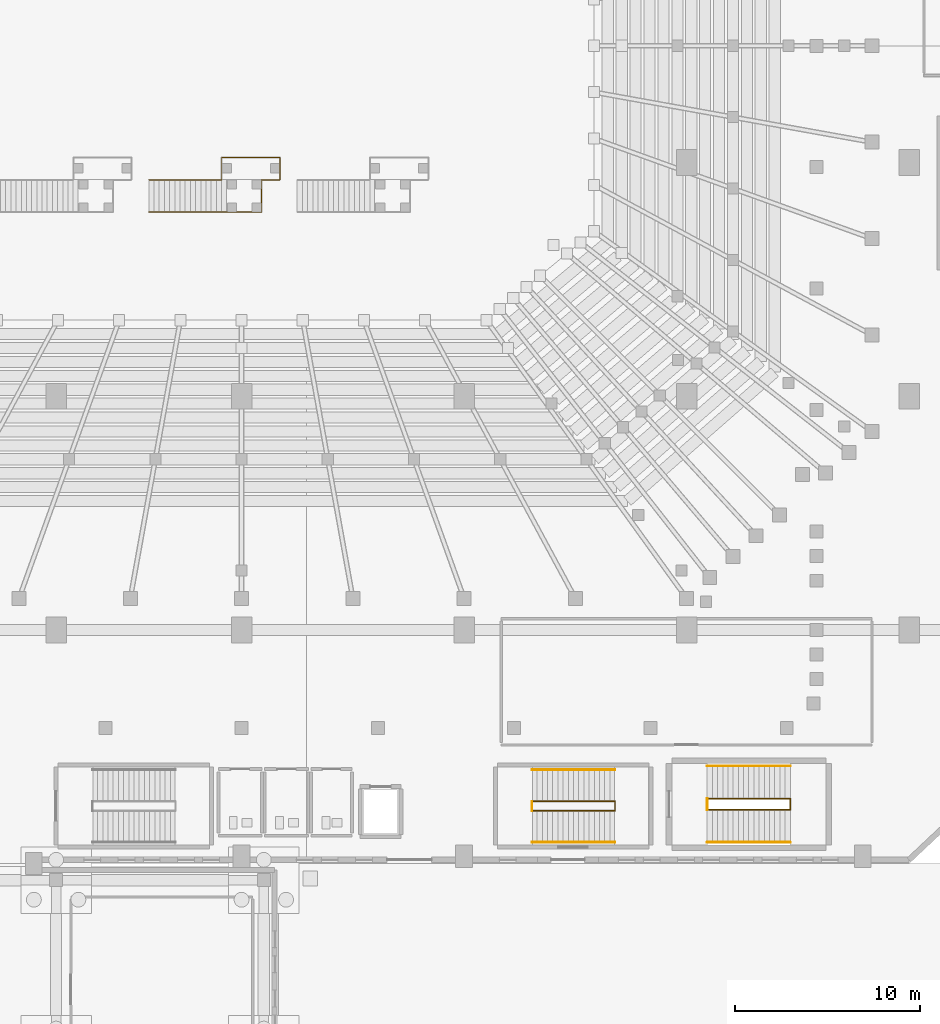
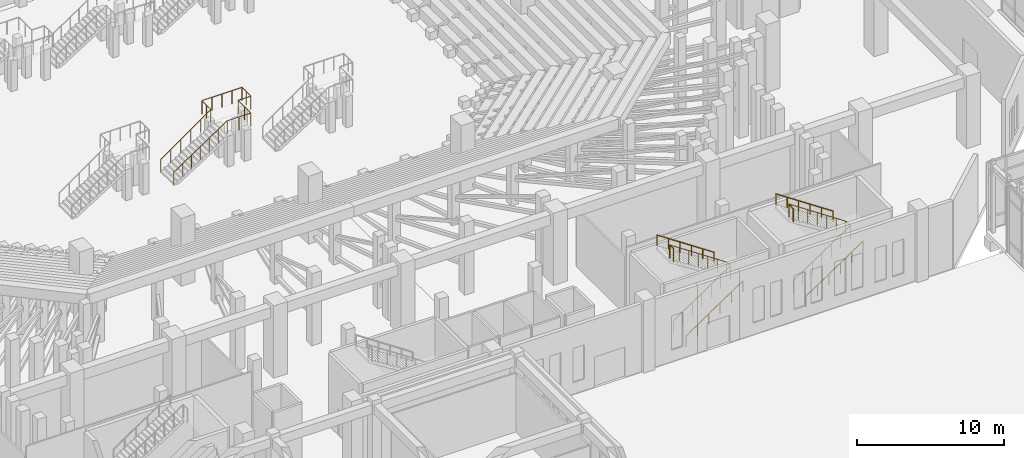
# One storey, part 131 of 143: 9 railings.
"""IFC4 building model written with IfcOpenShell, lengths in metres."""

from ifc_helpers import new_model, si_unit, derived_unit, direction, frame, origin, origin_2d, place, context, subcontext, project, spatial, circle, extrude, material, type_object, element, save


model = new_model("IFC4")

# Units and contexts
model_context = context("Model", 3, precision=1e-05, world=origin(), true_north=direction((0.0, 1.0)))
body_context = subcontext(model_context, "Body", "Model", "MODEL_VIEW")
ifc_project = project(units=[si_unit("LENGTHUNIT", "METRE"), si_unit("AREAUNIT", "SQUARE_METRE"), si_unit("VOLUMEUNIT", "CUBIC_METRE"), si_unit("PLANEANGLEUNIT", "RADIAN"), si_unit("MASSUNIT", "GRAM", prefix="KILO"), derived_unit("THERMALTRANSMITTANCEUNIT", [(si_unit("MASSUNIT", "GRAM", prefix="KILO"), 1), (si_unit("TIMEUNIT", "SECOND"), -3), (si_unit("THERMODYNAMICTEMPERATUREUNIT", "KELVIN"), -1)])], contexts=[model_context])

# Site, building, storey
site_placement = place(None, origin())
site = spatial("IfcSite", under=ifc_project, at=site_placement, CompositionType="ELEMENT")
building_placement = place(site_placement, origin())
building = spatial("IfcBuilding", under=site, at=building_placement, Name="Valcora Ridge Arena", CompositionType="ELEMENT")
storey_placement = place(building_placement, origin())
storey = spatial("IfcBuildingStorey", under=building, at=storey_placement, Name="L00", CompositionType="ELEMENT", Elevation=0.0)

# Railings
ifc_material = material(Name="Galvanized painted steel ASTM A500 Grade B", Category="steel")
railing_type_1 = type_object("IfcRailingType", Name="TY-RAILING-GRD-STAIR-1120", PredefinedType="GUARDRAIL", material=ifc_material)
railing_1_placement = place(storey_placement, frame((83.110107421875, 22.89990234375, 0.0)))
element("IfcRailing", 1, at=railing_1_placement, inside=storey, type_object=railing_type_1, Name="GRD-STAIR-1120 RAL-SG-0015", PredefinedType="GUARDRAIL", context=body_context, shape_type="SweptSolid", body=[
    extrude(circle(Radius=0.02392578125, at=origin_2d()), frame((0.0, 0.0, 1.09619140625), z_axis=(0.830906055479, 0.0, 0.556412730775), x_axis=(0.0, 1.0, 0.0)), (0.0, 0.0, 1.0), 5.3916015625),
    extrude(circle(Radius=0.02392578125, at=origin_2d()), frame((4.47998046875, 0.0, 4.09619140625), z_axis=(0.0, 1.0, 0.0), x_axis=(-1.0, 0.0, 0.0)), (0.0, 0.0, 1.0), 0.60009765625),
    extrude(circle(Radius=0.02392578125, at=origin_2d()), frame((4.47998046875, 0.60009765625, 4.09619140625), z_axis=(-0.830906055479, 0.0, 0.556412730775), x_axis=(0.0, -1.0, 0.0)), (0.0, 0.0, 1.0), 5.3916015625),
    extrude(circle(Radius=0.02099609375, at=origin_2d()), origin(), (0.0, 0.0, 1.0), 1.072021484375),
    extrude(circle(Radius=0.02099609375, at=origin_2d()), frame((0.74658203125, 0.0, 0.5)), (0.0, 0.0, 1.0), 1.072021484375),
    extrude(circle(Radius=0.02099609375, at=origin_2d()), frame((1.493408203125, 0.0, 1.0)), (0.0, 0.0, 1.0), 1.072021484375),
    extrude(circle(Radius=0.02099609375, at=origin_2d()), frame((2.239990234375, 0.0, 1.5)), (0.0, 0.0, 1.0), 1.072021484375),
    extrude(circle(Radius=0.02099609375, at=origin_2d()), frame((2.986572265625, 0.0, 2.0)), (0.0, 0.0, 1.0), 1.072021484375),
    extrude(circle(Radius=0.02099609375, at=origin_2d()), frame((3.7333984375, 0.0, 2.5)), (0.0, 0.0, 1.0), 1.072021484375),
    extrude(circle(Radius=0.02099609375, at=origin_2d()), frame((4.47998046875, 0.0, 3.0)), (0.0, 0.0, 1.0), 1.072021484375),
    extrude(circle(Radius=0.02099609375, at=origin_2d()), frame((4.47998046875, 0.60009765625, 3.0)), (0.0, 0.0, 1.0), 1.072021484375),
    extrude(circle(Radius=0.02099609375, at=origin_2d()), frame((3.7333984375, 0.60009765625, 3.5)), (0.0, 0.0, 1.0), 1.072021484375),
    extrude(circle(Radius=0.02099609375, at=origin_2d()), frame((2.986572265625, 0.60009765625, 4.0)), (0.0, 0.0, 1.0), 1.072021484375),
    extrude(circle(Radius=0.02099609375, at=origin_2d()), frame((2.239990234375, 0.60009765625, 4.5)), (0.0, 0.0, 1.0), 1.072021484375),
    extrude(circle(Radius=0.02099609375, at=origin_2d()), frame((1.493408203125, 0.60009765625, 5.0)), (0.0, 0.0, 1.0), 1.072021484375),
    extrude(circle(Radius=0.02099609375, at=origin_2d()), frame((0.74658203125, 0.60009765625, 5.5)), (0.0, 0.0, 1.0), 1.072021484375),
    extrude(circle(Radius=0.02099609375, at=origin_2d()), frame((0.0, 0.60009765625, 6.0)), (0.0, 0.0, 1.0), 1.072021484375),
])
railing_2_placement = place(storey_placement, frame((83.110107421875, 22.89990234375, 6.0)))
element("IfcRailing", 2, at=railing_2_placement, inside=storey, type_object=railing_type_1, Name="GRD-STAIR-1120 RAL-SG-0016", PredefinedType="GUARDRAIL", context=body_context, shape_type="SweptSolid", body=[
    extrude(circle(Radius=0.02392578125, at=origin_2d()), frame((0.0, 0.0, 1.09619140625), z_axis=(0.0, 1.0, 0.0), x_axis=(-1.0, 0.0, 0.0)), (0.0, 0.0, 1.0), 0.60009765625),
    extrude(circle(Radius=0.02099609375, at=origin_2d()), origin(), (0.0, 0.0, 1.0), 1.072021484375),
    extrude(circle(Radius=0.02099609375, at=origin_2d()), frame((0.0, 0.60009765625, 0.0)), (0.0, 0.0, 1.0), 1.072021484375),
])
railing_3_placement = place(storey_placement, frame((73.659912109375, 22.85009765625, 0.0)))
element("IfcRailing", 3, at=railing_3_placement, inside=storey, type_object=railing_type_1, Name="GRD-STAIR-1120 RAL-SG-0105", PredefinedType="GUARDRAIL", context=body_context, shape_type="SweptSolid", body=[
    extrude(circle(Radius=0.02392578125, at=origin_2d()), frame((0.0, 0.0, 1.09619140625), z_axis=(0.830906055479, 0.0, 0.556412730775), x_axis=(0.0, 1.0, 0.0)), (0.0, 0.0, 1.0), 5.3916015625),
    extrude(circle(Radius=0.02392578125, at=origin_2d()), frame((4.47998046875, 0.0, 4.09619140625), z_axis=(0.0, 1.0, 0.0), x_axis=(-1.0, 0.0, 0.0)), (0.0, 0.0, 1.0), 0.5),
    extrude(circle(Radius=0.02392578125, at=origin_2d()), frame((4.47998046875, 0.5, 4.09619140625), z_axis=(-0.830906055479, 0.0, 0.556412730775), x_axis=(0.0, -1.0, 0.0)), (0.0, 0.0, 1.0), 5.3916015625),
    extrude(circle(Radius=0.02099609375, at=origin_2d()), origin(), (0.0, 0.0, 1.0), 1.072021484375),
    extrude(circle(Radius=0.02099609375, at=origin_2d()), frame((0.74658203125, 0.0, 0.5)), (0.0, 0.0, 1.0), 1.072021484375),
    extrude(circle(Radius=0.02099609375, at=origin_2d()), frame((1.493408203125, 0.0, 1.0)), (0.0, 0.0, 1.0), 1.072021484375),
    extrude(circle(Radius=0.02099609375, at=origin_2d()), frame((2.239990234375, 0.0, 1.5)), (0.0, 0.0, 1.0), 1.072021484375),
    extrude(circle(Radius=0.02099609375, at=origin_2d()), frame((2.986572265625, 0.0, 2.0)), (0.0, 0.0, 1.0), 1.072021484375),
    extrude(circle(Radius=0.02099609375, at=origin_2d()), frame((3.7333984375, 0.0, 2.5)), (0.0, 0.0, 1.0), 1.072021484375),
    extrude(circle(Radius=0.02099609375, at=origin_2d()), frame((4.47998046875, 0.0, 3.0)), (0.0, 0.0, 1.0), 1.072021484375),
    extrude(circle(Radius=0.02099609375, at=origin_2d()), frame((4.47998046875, 0.5, 3.0)), (0.0, 0.0, 1.0), 1.072021484375),
    extrude(circle(Radius=0.02099609375, at=origin_2d()), frame((3.7333984375, 0.5, 3.5)), (0.0, 0.0, 1.0), 1.072021484375),
    extrude(circle(Radius=0.02099609375, at=origin_2d()), frame((2.986572265625, 0.5, 4.0)), (0.0, 0.0, 1.0), 1.072021484375),
    extrude(circle(Radius=0.02099609375, at=origin_2d()), frame((2.239990234375, 0.5, 4.5)), (0.0, 0.0, 1.0), 1.072021484375),
    extrude(circle(Radius=0.02099609375, at=origin_2d()), frame((1.493408203125, 0.5, 5.0)), (0.0, 0.0, 1.0), 1.072021484375),
    extrude(circle(Radius=0.02099609375, at=origin_2d()), frame((0.74658203125, 0.5, 5.5)), (0.0, 0.0, 1.0), 1.072021484375),
    extrude(circle(Radius=0.02099609375, at=origin_2d()), frame((0.0, 0.5, 6.0)), (0.0, 0.0, 1.0), 1.072021484375),
])
railing_4_placement = place(storey_placement, frame((73.659912109375, 22.85009765625, 6.0)))
element("IfcRailing", 4, at=railing_4_placement, inside=storey, type_object=railing_type_1, Name="GRD-STAIR-1120 RAL-SG-0106", PredefinedType="GUARDRAIL", context=body_context, shape_type="SweptSolid", body=[
    extrude(circle(Radius=0.02392578125, at=origin_2d()), frame((0.0, 0.0, 1.09619140625), z_axis=(0.0, 1.0, 0.0), x_axis=(-1.0, 0.0, 0.0)), (0.0, 0.0, 1.0), 0.5),
    extrude(circle(Radius=0.02099609375, at=origin_2d()), origin(), (0.0, 0.0, 1.0), 1.072021484375),
    extrude(circle(Radius=0.02099609375, at=origin_2d()), frame((0.0, 0.5, 0.0)), (0.0, 0.0, 1.0), 1.072021484375),
])
railing_5_placement = place(storey_placement, frame((53.0, 55.1298828125, 0.0)))
element("IfcRailing", 5, at=railing_5_placement, inside=storey, type_object=railing_type_1, Name="GRD-STAIR-1120 RAL-SG-0174", PredefinedType="GUARDRAIL", context=body_context, shape_type="SweptSolid", body=[
    extrude(circle(Radius=0.02392578125, at=origin_2d()), frame((0.0, 0.0, 1.09619140625), z_axis=(0.832042853317, 0.0, 0.554711357594), x_axis=(0.0, 1.0, 0.0)), (0.0, 0.0, 1.0), 5.0478515625),
    extrude(circle(Radius=0.02392578125, at=origin_2d()), frame((4.199951171875, 0.0, 3.89599609375), z_axis=(1.0, 0.0, 0.0), x_axis=(0.0, 1.0, 0.0)), (0.0, 0.0, 1.0), 1.8701171875),
    extrude(circle(Radius=0.02392578125, at=origin_2d()), frame((6.070068359375, 0.0, 3.89599609375), z_axis=(0.0, 1.0, 0.0), x_axis=(-1.0, 0.0, 0.0)), (0.0, 0.0, 1.0), 1.740234375),
    extrude(circle(Radius=0.02392578125, at=origin_2d()), frame((6.070068359375, 1.740234375, 3.89599609375), z_axis=(1.0, 0.0, 0.0), x_axis=(0.0, 1.0, 0.0)), (0.0, 0.0, 1.0), 1.0),
    extrude(circle(Radius=0.02392578125, at=origin_2d()), frame((7.070068359375, 1.740234375, 3.89599609375), z_axis=(0.0, 1.0, 0.0), x_axis=(-1.0, 0.0, 0.0)), (0.0, 0.0, 1.0), 1.199951171875),
    extrude(circle(Radius=0.02392578125, at=origin_2d()), frame((7.070068359375, 2.940185546875, 3.89599609375), z_axis=(-1.0, 0.0, 0.0), x_axis=(0.0, -1.0, 0.0)), (0.0, 0.0, 1.0), 3.14013671875),
    extrude(circle(Radius=0.02392578125, at=origin_2d()), frame((3.929931640625, 2.940185546875, 3.89599609375), z_axis=(0.0, -1.0, 0.0), x_axis=(1.0, 0.0, 0.0)), (0.0, 0.0, 1.0), 1.199951171875),
    extrude(circle(Radius=0.02392578125, at=origin_2d()), frame((3.929931640625, 1.740234375, 3.89599609375), z_axis=(-0.814423446672, 0.0, -0.580271013846), x_axis=(0.0, -1.0, 0.0)), (0.0, 0.0, 1.0), 4.825439453125),
    extrude(circle(Radius=0.02099609375, at=origin_2d()), origin(), (0.0, 0.0, 1.0), 1.072021484375),
    extrude(circle(Radius=0.02099609375, at=origin_2d()), frame((0.699951171875, 0.0, 0.466796875)), (0.0, 0.0, 1.0), 1.072021484375),
    extrude(circle(Radius=0.02099609375, at=origin_2d()), frame((1.39990234375, 0.0, 0.933349609375)), (0.0, 0.0, 1.0), 1.072021484375),
    extrude(circle(Radius=0.02099609375, at=origin_2d()), frame((2.10009765625, 0.0, 1.39990234375)), (0.0, 0.0, 1.0), 1.072021484375),
    extrude(circle(Radius=0.02099609375, at=origin_2d()), frame((2.800048828125, 0.0, 1.86669921875)), (0.0, 0.0, 1.0), 1.072021484375),
    extrude(circle(Radius=0.02099609375, at=origin_2d()), frame((3.5, 0.0, 2.33349609375)), (0.0, 0.0, 1.0), 1.072021484375),
    extrude(circle(Radius=0.02099609375, at=origin_2d()), frame((4.199951171875, 0.0, 2.800048828125)), (0.0, 0.0, 1.0), 1.072021484375),
    extrude(circle(Radius=0.02099609375, at=origin_2d()), frame((5.135009765625, 0.0, 2.800048828125)), (0.0, 0.0, 1.0), 1.072021484375),
    extrude(circle(Radius=0.02099609375, at=origin_2d()), frame((6.070068359375, 0.0, 2.800048828125)), (0.0, 0.0, 1.0), 1.072021484375),
    extrude(circle(Radius=0.02099609375, at=origin_2d()), frame((6.070068359375, 0.8701171875, 2.800048828125)), (0.0, 0.0, 1.0), 1.072021484375),
    extrude(circle(Radius=0.02099609375, at=origin_2d()), frame((6.070068359375, 1.740234375, 2.800048828125)), (0.0, 0.0, 1.0), 1.072021484375),
    extrude(circle(Radius=0.02099609375, at=origin_2d()), frame((7.070068359375, 1.740234375, 2.800048828125)), (0.0, 0.0, 1.0), 1.072021484375),
    extrude(circle(Radius=0.02099609375, at=origin_2d()), frame((7.070068359375, 2.34033203125, 2.800048828125)), (0.0, 0.0, 1.0), 1.072021484375),
    extrude(circle(Radius=0.02099609375, at=origin_2d()), frame((7.070068359375, 2.940185546875, 2.800048828125)), (0.0, 0.0, 1.0), 1.072021484375),
    extrude(circle(Radius=0.02099609375, at=origin_2d()), frame((6.28515625, 2.940185546875, 2.800048828125)), (0.0, 0.0, 1.0), 1.072021484375),
    extrude(circle(Radius=0.02099609375, at=origin_2d()), frame((5.5, 2.940185546875, 2.800048828125)), (0.0, 0.0, 1.0), 1.072021484375),
    extrude(circle(Radius=0.02099609375, at=origin_2d()), frame((4.71484375, 2.940185546875, 2.800048828125)), (0.0, 0.0, 1.0), 1.072021484375),
    extrude(circle(Radius=0.02099609375, at=origin_2d()), frame((3.929931640625, 2.940185546875, 2.800048828125)), (0.0, 0.0, 1.0), 1.072021484375),
    extrude(circle(Radius=0.02099609375, at=origin_2d()), frame((3.929931640625, 2.34033203125, 2.800048828125)), (0.0, 0.0, 1.0), 1.072021484375),
    extrude(circle(Radius=0.02099609375, at=origin_2d()), frame((3.929931640625, 1.740234375, 2.800048828125)), (0.0, 0.0, 1.0), 1.072021484375),
    extrude(circle(Radius=0.02099609375, at=origin_2d()), frame((3.14404296875, 1.740234375, 2.239990234375)), (0.0, 0.0, 1.0), 1.072021484375),
    extrude(circle(Radius=0.02099609375, at=origin_2d()), frame((2.35791015625, 1.740234375, 1.679931640625)), (0.0, 0.0, 1.0), 1.072021484375),
    extrude(circle(Radius=0.02099609375, at=origin_2d()), frame((1.572021484375, 1.740234375, 1.1201171875)), (0.0, 0.0, 1.0), 1.072021484375),
    extrude(circle(Radius=0.02099609375, at=origin_2d()), frame((0.785888671875, 1.740234375, 0.56005859375)), (0.0, 0.0, 1.0), 1.072021484375),
    extrude(circle(Radius=0.02099609375, at=origin_2d()), frame((0.0, 1.740234375, 0.0)), (0.0, 0.0, 1.0), 1.072021484375),
])
railing_type_2 = type_object("IfcRailingType", Name="TY-RAILING-HR-STAIR-900", PredefinedType="HANDRAIL", material=ifc_material)
railing_6_placement = place(storey_placement, frame((83.110107421875, 21.139892578125, 0.0)))
element("IfcRailing", 6, at=railing_6_placement, inside=storey, type_object=railing_type_2, Name="HR-STAIR-900 RAL-SH-0015", PredefinedType="HANDRAIL", context=body_context, shape_type="SweptSolid", body=[
    extrude(circle(Radius=0.02392578125, at=origin_2d()), frame((0.0, 0.0, 0.8759765625), z_axis=(0.830906055479, 0.0, 0.556412730775), x_axis=(0.0, 1.0, 0.0)), (0.0, 0.0, 1.0), 5.3916015625),
    extrude(circle(Radius=0.02099609375, at=origin_2d()), origin(), (0.0, 0.0, 1.0), 0.851806640625),
    extrude(circle(Radius=0.02099609375, at=origin_2d()), frame((0.89599609375, 0.0, 0.60009765625)), (0.0, 0.0, 1.0), 0.851806640625),
    extrude(circle(Radius=0.02099609375, at=origin_2d()), frame((1.7919921875, 0.0, 1.199951171875)), (0.0, 0.0, 1.0), 0.851806640625),
    extrude(circle(Radius=0.02099609375, at=origin_2d()), frame((2.68798828125, 0.0, 1.800048828125)), (0.0, 0.0, 1.0), 0.851806640625),
    extrude(circle(Radius=0.02099609375, at=origin_2d()), frame((3.583984375, 0.0, 2.39990234375)), (0.0, 0.0, 1.0), 0.851806640625),
    extrude(circle(Radius=0.02099609375, at=origin_2d()), frame((4.47998046875, 0.0, 3.0)), (0.0, 0.0, 1.0), 0.851806640625),
])
railing_7_placement = place(storey_placement, frame((87.590087890625, 25.260009765625, 3.0)))
element("IfcRailing", 7, at=railing_7_placement, inside=storey, type_object=railing_type_2, Name="HR-STAIR-900 RAL-SH-0016", PredefinedType="HANDRAIL", context=body_context, shape_type="SweptSolid", body=[
    extrude(circle(Radius=0.02392578125, at=origin_2d()), frame((0.0, 0.0, 0.8759765625), z_axis=(-0.830906055479, 0.0, 0.556412730775), x_axis=(0.0, -1.0, 0.0)), (0.0, 0.0, 1.0), 5.3916015625),
    extrude(circle(Radius=0.02099609375, at=origin_2d()), origin(), (0.0, 0.0, 1.0), 0.851806640625),
    extrude(circle(Radius=0.02099609375, at=origin_2d()), frame((-0.89599609375, 0.0, 0.60009765625)), (0.0, 0.0, 1.0), 0.851806640625),
    extrude(circle(Radius=0.02099609375, at=origin_2d()), frame((-1.7919921875, 0.0, 1.199951171875)), (0.0, 0.0, 1.0), 0.851806640625),
    extrude(circle(Radius=0.02099609375, at=origin_2d()), frame((-2.68798828125, 0.0, 1.800048828125)), (0.0, 0.0, 1.0), 0.851806640625),
    extrude(circle(Radius=0.02099609375, at=origin_2d()), frame((-3.583984375, 0.0, 2.39990234375)), (0.0, 0.0, 1.0), 0.851806640625),
    extrude(circle(Radius=0.02099609375, at=origin_2d()), frame((-4.47998046875, 0.0, 3.0)), (0.0, 0.0, 1.0), 0.851806640625),
])
railing_8_placement = place(storey_placement, frame((73.659912109375, 21.139892578125, 0.0)))
element("IfcRailing", 8, at=railing_8_placement, inside=storey, type_object=railing_type_2, Name="HR-STAIR-900 RAL-SH-0105", PredefinedType="HANDRAIL", context=body_context, shape_type="SweptSolid", body=[
    extrude(circle(Radius=0.02392578125, at=origin_2d()), frame((0.0, 0.0, 0.8759765625), z_axis=(0.830906055479, 0.0, 0.556412730775), x_axis=(0.0, 1.0, 0.0)), (0.0, 0.0, 1.0), 5.3916015625),
    extrude(circle(Radius=0.02099609375, at=origin_2d()), origin(), (0.0, 0.0, 1.0), 0.851806640625),
    extrude(circle(Radius=0.02099609375, at=origin_2d()), frame((0.89599609375, 0.0, 0.60009765625)), (0.0, 0.0, 1.0), 0.851806640625),
    extrude(circle(Radius=0.02099609375, at=origin_2d()), frame((1.7919921875, 0.0, 1.199951171875)), (0.0, 0.0, 1.0), 0.851806640625),
    extrude(circle(Radius=0.02099609375, at=origin_2d()), frame((2.68798828125, 0.0, 1.800048828125)), (0.0, 0.0, 1.0), 0.851806640625),
    extrude(circle(Radius=0.02099609375, at=origin_2d()), frame((3.583984375, 0.0, 2.39990234375)), (0.0, 0.0, 1.0), 0.851806640625),
    extrude(circle(Radius=0.02099609375, at=origin_2d()), frame((4.47998046875, 0.0, 3.0)), (0.0, 0.0, 1.0), 0.851806640625),
])
railing_9_placement = place(storey_placement, frame((78.139892578125, 25.06005859375, 3.0)))
element("IfcRailing", 9, at=railing_9_placement, inside=storey, type_object=railing_type_2, Name="HR-STAIR-900 RAL-SH-0106", PredefinedType="HANDRAIL", context=body_context, shape_type="SweptSolid", body=[
    extrude(circle(Radius=0.02392578125, at=origin_2d()), frame((0.0, 0.0, 0.8759765625), z_axis=(-0.830906055479, 0.0, 0.556412730775), x_axis=(0.0, -1.0, 0.0)), (0.0, 0.0, 1.0), 5.3916015625),
    extrude(circle(Radius=0.02099609375, at=origin_2d()), origin(), (0.0, 0.0, 1.0), 0.851806640625),
    extrude(circle(Radius=0.02099609375, at=origin_2d()), frame((-0.89599609375, 0.0, 0.60009765625)), (0.0, 0.0, 1.0), 0.851806640625),
    extrude(circle(Radius=0.02099609375, at=origin_2d()), frame((-1.7919921875, 0.0, 1.199951171875)), (0.0, 0.0, 1.0), 0.851806640625),
    extrude(circle(Radius=0.02099609375, at=origin_2d()), frame((-2.68798828125, 0.0, 1.800048828125)), (0.0, 0.0, 1.0), 0.851806640625),
    extrude(circle(Radius=0.02099609375, at=origin_2d()), frame((-3.583984375, 0.0, 2.39990234375)), (0.0, 0.0, 1.0), 0.851806640625),
    extrude(circle(Radius=0.02099609375, at=origin_2d()), frame((-4.47998046875, 0.0, 3.0)), (0.0, 0.0, 1.0), 0.851806640625),
])

save(model, "model.ifc")
